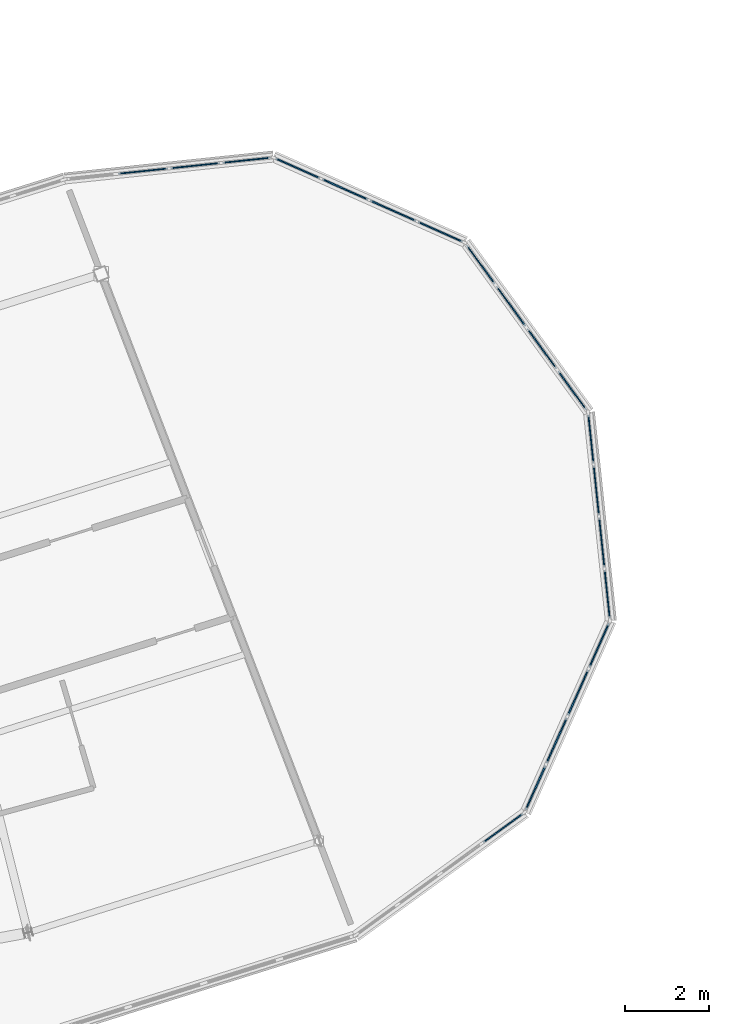
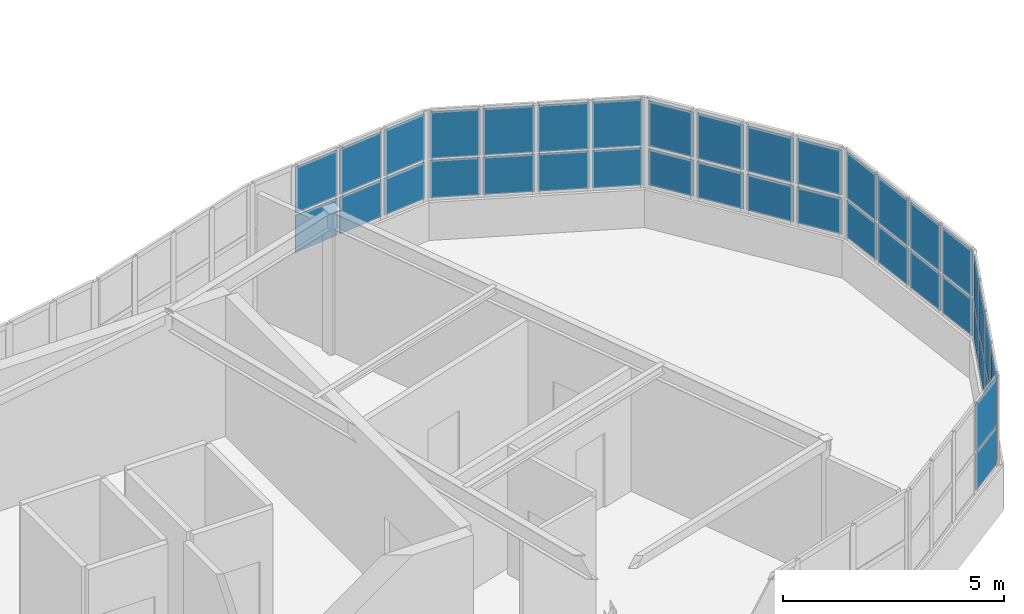
# One storey, part 40 of 60: 40 plates, 6 elements without a shape of their own.
"""IFC4 building model written with IfcOpenShell, lengths in metres."""

from ifc_helpers import new_model, si_unit, direction, frame, origin, origin_2d, place, context, subcontext, project, spatial, rectangle, extrude, material, layer, layer_set, type_object, element, aggregate, save


model = new_model("IFC4")

# Units and contexts
model_context = context("Model", 3, precision=1e-05, world=origin(), true_north=direction((0.0, 1.0)))
body_context = subcontext(model_context, "Body", "Model", "MODEL_VIEW")
ifc_project = project(units=[si_unit("LENGTHUNIT", "METRE"), si_unit("AREAUNIT", "SQUARE_METRE"), si_unit("VOLUMEUNIT", "CUBIC_METRE"), si_unit("PLANEANGLEUNIT", "RADIAN"), si_unit("MASSUNIT", "GRAM", prefix="KILO")], contexts=[model_context])

# Site, building, storey
site_placement = place(None, origin())
site = spatial("IfcSite", under=ifc_project, at=site_placement, CompositionType="ELEMENT")
building_placement = place(site_placement, origin())
building = spatial("IfcBuilding", under=site, at=building_placement, Name="Tarnwether General Hospital", CompositionType="ELEMENT")
storey_placement = place(building_placement, frame((0.0, 0.0, 26.10009765625)))
storey = spatial("IfcBuildingStorey", under=building, at=storey_placement, Name="L06", CompositionType="ELEMENT", Elevation=26.10009765625)

# Curtain wall, plates
ifc_material_1 = material(Name="Anodised aluminium", Category="aluminium")
ifc_layer_1 = layer(ifc_material_1, 0.159912109375)
ifc_layer_set_1 = layer_set([ifc_layer_1], Name="Anodised aluminium")
curtain_wall_type = type_object("IfcCurtainWallType", Name="CW-03", PredefinedType="NOTDEFINED", material=ifc_layer_set_1)
curtain_wall_1_placement = place(storey_placement, origin())
curtain_wall_1 = element("IfcCurtainWall", 1, at=curtain_wall_1_placement, inside=storey, type_object=curtain_wall_type, Name="Curtain Wall CWG-L06-1181_84-0253", PredefinedType="NOTDEFINED")
ifc_material_2 = material(Name="Double glazed low-E glass", Category="glass")
ifc_layer_2 = layer(ifc_material_2, 0.028076171875)
ifc_layer_set_2 = layer_set([ifc_layer_2], Name="Double glazed low-E glass")
plate_type_1 = type_object("IfcPlateType", Name="PT-CWP1", PredefinedType="CURTAIN_PANEL", material=ifc_layer_set_2)
plate_1_placement = place(storey_placement, frame((117.581298828125, 8.0380859375, 1.10986328125), z_axis=(0.0, 0.0, 1.0), x_axis=(-0.809057896173, -0.587728951677, 0.0)))
plate_1 = element("IfcPlate", 2, at=plate_1_placement, type_object=plate_type_1, Name="CW-03 panel 1.1", PredefinedType="CURTAIN_PANEL", context=body_context, shape_type="SweptSolid", body=[
    extrude(rectangle(XDim=1.152587890625, YDim=0.028076171875, at=origin_2d()), origin(), (0.0, 0.0, 1.0), 1.03271484375),
])
plate_2_placement = place(storey_placement, frame((117.581298828125, 8.0380859375, 2.20263671875), z_axis=(0.0, 0.0, 1.0), x_axis=(-0.809057896173, -0.587728951677, 0.0)))
plate_2 = element("IfcPlate", 3, at=plate_2_placement, type_object=plate_type_1, Name="CW-03 panel 1.2", PredefinedType="CURTAIN_PANEL", context=body_context, shape_type="SweptSolid", body=[
    extrude(rectangle(XDim=1.152587890625, YDim=0.028076171875, at=origin_2d()), origin(), (0.0, 0.0, 1.0), 1.2822265625),
])
aggregate(curtain_wall_1, [plate_1, plate_2])

curtain_wall_2_placement = place(storey_placement, origin())
curtain_wall_2 = element("IfcCurtainWall", 4, at=curtain_wall_2_placement, inside=storey, type_object=curtain_wall_type, Name="Curtain Wall CWG-L06-1196_179-0255", PredefinedType="NOTDEFINED")
plate_3_placement = place(storey_placement, frame((119.66455078125, 17.260009765625, 1.11474609375), z_axis=(0.0, 0.0, 1.0), x_axis=(0.10444384414, -0.994530785557, 0.0)))
plate_3 = element("IfcPlate", 5, at=plate_3_placement, type_object=plate_type_1, Name="CW-03 panel 1.1", PredefinedType="CURTAIN_PANEL", context=body_context, shape_type="SweptSolid", body=[
    extrude(rectangle(XDim=1.144775390625, YDim=0.028076171875, at=origin_2d()), origin(), (0.0, 0.0, 1.0), 1.025390625),
])
plate_4_placement = place(storey_placement, frame((119.66455078125, 17.260009765625, 2.205078125), z_axis=(0.0, 0.0, 1.0), x_axis=(0.10444384414, -0.994530785557, 0.0)))
plate_4 = element("IfcPlate", 6, at=plate_4_placement, type_object=plate_type_1, Name="CW-03 panel 1.2", PredefinedType="CURTAIN_PANEL", context=body_context, shape_type="SweptSolid", body=[
    extrude(rectangle(XDim=1.144775390625, YDim=0.028076171875, at=origin_2d()), origin(), (0.0, 0.0, 1.0), 1.274658203125),
])
plate_5_placement = place(storey_placement, frame((119.792724609375, 16.040771484375, 1.11474609375), z_axis=(0.0, 0.0, 1.0), x_axis=(0.10444384414, -0.994530785557, 0.0)))
plate_5 = element("IfcPlate", 7, at=plate_5_placement, type_object=plate_type_1, Name="CW-03 panel 2.1", PredefinedType="CURTAIN_PANEL", context=body_context, shape_type="SweptSolid", body=[
    extrude(rectangle(XDim=1.17724609375, YDim=0.028076171875, at=origin_2d()), origin(), (0.0, 0.0, 1.0), 1.025390625),
])
plate_6_placement = place(storey_placement, frame((119.792724609375, 16.040771484375, 2.205078125), z_axis=(0.0, 0.0, 1.0), x_axis=(0.10444384414, -0.994530785557, 0.0)))
plate_6 = element("IfcPlate", 8, at=plate_6_placement, type_object=plate_type_1, Name="CW-03 panel 2.2", PredefinedType="CURTAIN_PANEL", context=body_context, shape_type="SweptSolid", body=[
    extrude(rectangle(XDim=1.17724609375, YDim=0.028076171875, at=origin_2d()), origin(), (0.0, 0.0, 1.0), 1.274658203125),
])
plate_7_placement = place(storey_placement, frame((119.92236328125, 14.80517578125, 1.11474609375), z_axis=(0.0, 0.0, 1.0), x_axis=(0.10444384414, -0.994530785557, 0.0)))
plate_7 = element("IfcPlate", 9, at=plate_7_placement, type_object=plate_type_1, Name="CW-03 panel 3.1", PredefinedType="CURTAIN_PANEL", context=body_context, shape_type="SweptSolid", body=[
    extrude(rectangle(XDim=1.17724609375, YDim=0.028076171875, at=origin_2d()), origin(), (0.0, 0.0, 1.0), 1.025390625),
])
plate_8_placement = place(storey_placement, frame((119.92236328125, 14.80517578125, 2.205078125), z_axis=(0.0, 0.0, 1.0), x_axis=(0.10444384414, -0.994530785557, 0.0)))
plate_8 = element("IfcPlate", 10, at=plate_8_placement, type_object=plate_type_1, Name="CW-03 panel 3.2", PredefinedType="CURTAIN_PANEL", context=body_context, shape_type="SweptSolid", body=[
    extrude(rectangle(XDim=1.17724609375, YDim=0.028076171875, at=origin_2d()), origin(), (0.0, 0.0, 1.0), 1.274658203125),
])
plate_9_placement = place(storey_placement, frame((120.050537109375, 13.5859375, 1.11474609375), z_axis=(0.0, 0.0, 1.0), x_axis=(0.10444384414, -0.994530785557, 0.0)))
plate_9 = element("IfcPlate", 11, at=plate_9_placement, type_object=plate_type_1, Name="CW-03 panel 4.1", PredefinedType="CURTAIN_PANEL", context=body_context, shape_type="SweptSolid", body=[
    extrude(rectangle(XDim=1.144775390625, YDim=0.028076171875, at=origin_2d()), origin(), (0.0, 0.0, 1.0), 1.025390625),
])
plate_10_placement = place(storey_placement, frame((120.050537109375, 13.5859375, 2.205078125), z_axis=(0.0, 0.0, 1.0), x_axis=(0.10444384414, -0.994530785557, 0.0)))
plate_10 = element("IfcPlate", 12, at=plate_10_placement, type_object=plate_type_1, Name="CW-03 panel 4.2", PredefinedType="CURTAIN_PANEL", context=body_context, shape_type="SweptSolid", body=[
    extrude(rectangle(XDim=1.144775390625, YDim=0.028076171875, at=origin_2d()), origin(), (0.0, 0.0, 1.0), 1.274658203125),
])
aggregate(curtain_wall_2, [plate_3, plate_4, plate_5, plate_6, plate_7, plate_8, plate_9, plate_10])

curtain_wall_3_placement = place(storey_placement, origin())
curtain_wall_3 = element("IfcCurtainWall", 13, at=curtain_wall_3_placement, inside=storey, type_object=curtain_wall_type, Name="Curtain Wall CWG-L06-1167_219-0256", PredefinedType="NOTDEFINED")
plate_11_placement = place(storey_placement, frame((117.053955078125, 21.395263671875, 1.1298828125), z_axis=(0.0, 0.0, 1.0), x_axis=(0.587824638969, -0.808988376814, 0.0)))
plate_11 = element("IfcPlate", 14, at=plate_11_placement, type_object=plate_type_1, Name="CW-03 panel 1.1", PredefinedType="CURTAIN_PANEL", context=body_context, shape_type="SweptSolid", body=[
    extrude(rectangle(XDim=1.122314453125, YDim=0.028076171875, at=origin_2d()), origin(), (0.0, 0.0, 1.0), 1.002685546875),
])
plate_12_placement = place(storey_placement, frame((117.053955078125, 21.395263671875, 2.212890625), z_axis=(0.0, 0.0, 1.0), x_axis=(0.587824638969, -0.808988376814, 0.0)))
plate_12 = element("IfcPlate", 15, at=plate_12_placement, type_object=plate_type_1, Name="CW-03 panel 1.2", PredefinedType="CURTAIN_PANEL", context=body_context, shape_type="SweptSolid", body=[
    extrude(rectangle(XDim=1.122314453125, YDim=0.028076171875, at=origin_2d()), origin(), (0.0, 0.0, 1.0), 1.252197265625),
])
plate_13_placement = place(storey_placement, frame((117.7724609375, 20.406494140625, 1.1298828125), z_axis=(0.0, 0.0, 1.0), x_axis=(0.587824638969, -0.808988376814, 0.0)))
plate_13 = element("IfcPlate", 16, at=plate_13_placement, type_object=plate_type_1, Name="CW-03 panel 2.1", PredefinedType="CURTAIN_PANEL", context=body_context, shape_type="SweptSolid", body=[
    extrude(rectangle(XDim=1.162353515625, YDim=0.028076171875, at=origin_2d()), origin(), (0.0, 0.0, 1.0), 1.002685546875),
])
plate_14_placement = place(storey_placement, frame((117.7724609375, 20.406494140625, 2.212890625), z_axis=(0.0, 0.0, 1.0), x_axis=(0.587824638969, -0.808988376814, 0.0)))
plate_14 = element("IfcPlate", 17, at=plate_14_placement, type_object=plate_type_1, Name="CW-03 panel 2.2", PredefinedType="CURTAIN_PANEL", context=body_context, shape_type="SweptSolid", body=[
    extrude(rectangle(XDim=1.162353515625, YDim=0.028076171875, at=origin_2d()), origin(), (0.0, 0.0, 1.0), 1.252197265625),
])
plate_15_placement = place(storey_placement, frame((118.502685546875, 19.401611328125, 1.1298828125), z_axis=(0.0, 0.0, 1.0), x_axis=(0.587824638969, -0.808988376814, 0.0)))
plate_15 = element("IfcPlate", 18, at=plate_15_placement, type_object=plate_type_1, Name="CW-03 panel 3.1", PredefinedType="CURTAIN_PANEL", context=body_context, shape_type="SweptSolid", body=[
    extrude(rectangle(XDim=1.162353515625, YDim=0.028076171875, at=origin_2d()), origin(), (0.0, 0.0, 1.0), 1.002685546875),
])
plate_16_placement = place(storey_placement, frame((118.502685546875, 19.401611328125, 2.212890625), z_axis=(0.0, 0.0, 1.0), x_axis=(0.587824638969, -0.808988376814, 0.0)))
plate_16 = element("IfcPlate", 19, at=plate_16_placement, type_object=plate_type_1, Name="CW-03 panel 3.2", PredefinedType="CURTAIN_PANEL", context=body_context, shape_type="SweptSolid", body=[
    extrude(rectangle(XDim=1.162353515625, YDim=0.028076171875, at=origin_2d()), origin(), (0.0, 0.0, 1.0), 1.252197265625),
])
plate_17_placement = place(storey_placement, frame((119.22119140625, 18.41259765625, 1.1298828125), z_axis=(0.0, 0.0, 1.0), x_axis=(0.587824638969, -0.808988376814, 0.0)))
plate_17 = element("IfcPlate", 20, at=plate_17_placement, type_object=plate_type_1, Name="CW-03 panel 4.1", PredefinedType="CURTAIN_PANEL", context=body_context, shape_type="SweptSolid", body=[
    extrude(rectangle(XDim=1.122314453125, YDim=0.028076171875, at=origin_2d()), origin(), (0.0, 0.0, 1.0), 1.002685546875),
])
plate_18_placement = place(storey_placement, frame((119.22119140625, 18.41259765625, 2.212890625), z_axis=(0.0, 0.0, 1.0), x_axis=(0.587824638969, -0.808988376814, 0.0)))
plate_18 = element("IfcPlate", 21, at=plate_18_placement, type_object=plate_type_1, Name="CW-03 panel 4.2", PredefinedType="CURTAIN_PANEL", context=body_context, shape_type="SweptSolid", body=[
    extrude(rectangle(XDim=1.122314453125, YDim=0.028076171875, at=origin_2d()), origin(), (0.0, 0.0, 1.0), 1.252197265625),
])
aggregate(curtain_wall_3, [plate_11, plate_12, plate_13, plate_14, plate_15, plate_16, plate_17, plate_18])

curtain_wall_4_placement = place(storey_placement, origin())
curtain_wall_4 = element("IfcCurtainWall", 22, at=curtain_wall_4_placement, inside=storey, type_object=curtain_wall_type, Name="Curtain Wall CWG-L06-1072_234-0258", PredefinedType="NOTDEFINED")
plate_19_placement = place(storey_placement, frame((109.04833984375, 23.611083984375, 1.1201171875), z_axis=(0.0, 0.0, 1.0), x_axis=(0.994509862698, 0.104642883163, 0.0)))
plate_19 = element("IfcPlate", 23, at=plate_19_placement, type_object=plate_type_1, Name="CW-03 panel 2.1", PredefinedType="CURTAIN_PANEL", context=body_context, shape_type="SweptSolid", body=[
    extrude(rectangle(XDim=1.17236328125, YDim=0.028076171875, at=origin_2d()), origin(), (0.0, 0.0, 1.0), 1.017822265625),
])
plate_20_placement = place(storey_placement, frame((109.04833984375, 23.611083984375, 2.207763671875), z_axis=(0.0, 0.0, 1.0), x_axis=(0.994509862698, 0.104642883163, 0.0)))
plate_20 = element("IfcPlate", 24, at=plate_20_placement, type_object=plate_type_1, Name="CW-03 panel 2.2", PredefinedType="CURTAIN_PANEL", context=body_context, shape_type="SweptSolid", body=[
    extrude(rectangle(XDim=1.17236328125, YDim=0.028076171875, at=origin_2d()), origin(), (0.0, 0.0, 1.0), 1.26708984375),
])
plate_21_placement = place(storey_placement, frame((110.28369140625, 23.740966796875, 1.1201171875), z_axis=(0.0, 0.0, 1.0), x_axis=(0.994509862698, 0.104642883163, 0.0)))
plate_21 = element("IfcPlate", 25, at=plate_21_placement, type_object=plate_type_1, Name="CW-03 panel 3.1", PredefinedType="CURTAIN_PANEL", context=body_context, shape_type="SweptSolid", body=[
    extrude(rectangle(XDim=1.17236328125, YDim=0.028076171875, at=origin_2d()), origin(), (0.0, 0.0, 1.0), 1.017822265625),
])
plate_22_placement = place(storey_placement, frame((110.28369140625, 23.740966796875, 2.207763671875), z_axis=(0.0, 0.0, 1.0), x_axis=(0.994509862698, 0.104642883163, 0.0)))
plate_22 = element("IfcPlate", 26, at=plate_22_placement, type_object=plate_type_1, Name="CW-03 panel 3.2", PredefinedType="CURTAIN_PANEL", context=body_context, shape_type="SweptSolid", body=[
    extrude(rectangle(XDim=1.17236328125, YDim=0.028076171875, at=origin_2d()), origin(), (0.0, 0.0, 1.0), 1.26708984375),
])
plate_23_placement = place(storey_placement, frame((111.501953125, 23.869140625, 1.1201171875), z_axis=(0.0, 0.0, 1.0), x_axis=(0.994509862698, 0.104642883163, 0.0)))
plate_23 = element("IfcPlate", 27, at=plate_23_placement, type_object=plate_type_1, Name="CW-03 panel 4.1", PredefinedType="CURTAIN_PANEL", context=body_context, shape_type="SweptSolid", body=[
    extrude(rectangle(XDim=1.13720703125, YDim=0.028076171875, at=origin_2d()), origin(), (0.0, 0.0, 1.0), 1.017822265625),
])
plate_24_placement = place(storey_placement, frame((111.501953125, 23.869140625, 2.207763671875), z_axis=(0.0, 0.0, 1.0), x_axis=(0.994509862698, 0.104642883163, 0.0)))
plate_24 = element("IfcPlate", 28, at=plate_24_placement, type_object=plate_type_1, Name="CW-03 panel 4.2", PredefinedType="CURTAIN_PANEL", context=body_context, shape_type="SweptSolid", body=[
    extrude(rectangle(XDim=1.13720703125, YDim=0.028076171875, at=origin_2d()), origin(), (0.0, 0.0, 1.0), 1.26708984375),
])
aggregate(curtain_wall_4, [plate_19, plate_20, plate_21, plate_22, plate_23, plate_24])

curtain_wall_5_placement = place(storey_placement, origin())
curtain_wall_5 = element("IfcCurtainWall", 29, at=curtain_wall_5_placement, inside=storey, type_object=curtain_wall_type, Name="Curtain Wall CWG-L06-1201_130-0254", PredefinedType="NOTDEFINED")
ifc_material_3 = material(Name="Double glazed low-E glass", Category="glass")
ifc_layer_3 = layer(ifc_material_3, 0.035888671875)
ifc_layer_set_3 = layer_set([ifc_layer_3], Name="Double glazed low-E glass")
plate_type_2 = type_object("IfcPlateType", Name="PT-CWP2", PredefinedType="CURTAIN_PANEL", material=ifc_layer_set_3)
plate_25_placement = place(storey_placement, frame((119.857177734375, 12.368408203125, 1.1201171875), z_axis=(0.0, 0.0, 1.0), x_axis=(-0.406679840705, -0.913570745572, 0.0)))
plate_25 = element("IfcPlate", 30, at=plate_25_placement, type_object=plate_type_2, Name="CW-03 panel 1.1", PredefinedType="CURTAIN_PANEL", context=body_context, shape_type="SweptSolid", body=[
    extrude(rectangle(XDim=1.137451171875, YDim=0.035888671875, at=origin_2d()), origin(), (0.0, 0.0, 1.0), 1.017822265625),
])
plate_26_placement = place(storey_placement, frame((119.857177734375, 12.368408203125, 2.207763671875), z_axis=(0.0, 0.0, 1.0), x_axis=(-0.406679840705, -0.913570745572, 0.0)))
plate_26 = element("IfcPlate", 31, at=plate_26_placement, type_object=plate_type_2, Name="CW-03 panel 1.2", PredefinedType="CURTAIN_PANEL", context=body_context, shape_type="SweptSolid", body=[
    extrude(rectangle(XDim=1.137451171875, YDim=0.035888671875, at=origin_2d()), origin(), (0.0, 0.0, 1.0), 1.26708984375),
])
plate_27_placement = place(storey_placement, frame((119.359130859375, 11.24951171875, 1.1201171875), z_axis=(0.0, 0.0, 1.0), x_axis=(-0.406679840705, -0.913570745572, 0.0)))
plate_27 = element("IfcPlate", 32, at=plate_27_placement, type_object=plate_type_2, Name="CW-03 panel 2.1", PredefinedType="CURTAIN_PANEL", context=body_context, shape_type="SweptSolid", body=[
    extrude(rectangle(XDim=1.17236328125, YDim=0.035888671875, at=origin_2d()), origin(), (0.0, 0.0, 1.0), 1.017822265625),
])
plate_28_placement = place(storey_placement, frame((119.359130859375, 11.24951171875, 2.207763671875), z_axis=(0.0, 0.0, 1.0), x_axis=(-0.406679840705, -0.913570745572, 0.0)))
plate_28 = element("IfcPlate", 33, at=plate_28_placement, type_object=plate_type_2, Name="CW-03 panel 2.2", PredefinedType="CURTAIN_PANEL", context=body_context, shape_type="SweptSolid", body=[
    extrude(rectangle(XDim=1.17236328125, YDim=0.035888671875, at=origin_2d()), origin(), (0.0, 0.0, 1.0), 1.26708984375),
])
plate_29_placement = place(storey_placement, frame((118.853759765625, 10.114501953125, 1.1201171875), z_axis=(0.0, 0.0, 1.0), x_axis=(-0.406679840705, -0.913570745572, 0.0)))
plate_29 = element("IfcPlate", 34, at=plate_29_placement, type_object=plate_type_2, Name="CW-03 panel 3.1", PredefinedType="CURTAIN_PANEL", context=body_context, shape_type="SweptSolid", body=[
    extrude(rectangle(XDim=1.17236328125, YDim=0.035888671875, at=origin_2d()), origin(), (0.0, 0.0, 1.0), 1.017822265625),
])
plate_30_placement = place(storey_placement, frame((118.853759765625, 10.114501953125, 2.207763671875), z_axis=(0.0, 0.0, 1.0), x_axis=(-0.406679840705, -0.913570745572, 0.0)))
plate_30 = element("IfcPlate", 35, at=plate_30_placement, type_object=plate_type_2, Name="CW-03 panel 3.2", PredefinedType="CURTAIN_PANEL", context=body_context, shape_type="SweptSolid", body=[
    extrude(rectangle(XDim=1.17236328125, YDim=0.035888671875, at=origin_2d()), origin(), (0.0, 0.0, 1.0), 1.26708984375),
])
plate_31_placement = place(storey_placement, frame((118.355712890625, 8.99560546875, 1.1201171875), z_axis=(0.0, 0.0, 1.0), x_axis=(-0.406679840705, -0.913570745572, 0.0)))
plate_31 = element("IfcPlate", 36, at=plate_31_placement, type_object=plate_type_2, Name="CW-03 panel 4.1", PredefinedType="CURTAIN_PANEL", context=body_context, shape_type="SweptSolid", body=[
    extrude(rectangle(XDim=1.137451171875, YDim=0.035888671875, at=origin_2d()), origin(), (0.0, 0.0, 1.0), 1.017822265625),
])
plate_32_placement = place(storey_placement, frame((118.355712890625, 8.99560546875, 2.207763671875), z_axis=(0.0, 0.0, 1.0), x_axis=(-0.406679840705, -0.913570745572, 0.0)))
plate_32 = element("IfcPlate", 37, at=plate_32_placement, type_object=plate_type_2, Name="CW-03 panel 4.2", PredefinedType="CURTAIN_PANEL", context=body_context, shape_type="SweptSolid", body=[
    extrude(rectangle(XDim=1.137451171875, YDim=0.035888671875, at=origin_2d()), origin(), (0.0, 0.0, 1.0), 1.26708984375),
])
aggregate(curtain_wall_5, [plate_25, plate_26, plate_27, plate_28, plate_29, plate_30, plate_31, plate_32])

curtain_wall_6_placement = place(storey_placement, origin())
curtain_wall_6 = element("IfcCurtainWall", 38, at=curtain_wall_6_placement, inside=storey, type_object=curtain_wall_type, Name="Curtain Wall CWG-L06-1121_239-0257", PredefinedType="NOTDEFINED")
plate_33_placement = place(storey_placement, frame((112.71826171875, 23.67724609375, 1.10986328125), z_axis=(0.0, 0.0, 1.0), x_axis=(0.913495974215, -0.406847766484, 0.0)))
plate_33 = element("IfcPlate", 39, at=plate_33_placement, type_object=plate_type_2, Name="CW-03 panel 1.1", PredefinedType="CURTAIN_PANEL", context=body_context, shape_type="SweptSolid", body=[
    extrude(rectangle(XDim=1.152587890625, YDim=0.035888671875, at=origin_2d()), origin(), (0.0, 0.0, 1.0), 1.03271484375),
])
plate_34_placement = place(storey_placement, frame((112.71826171875, 23.67724609375, 2.20263671875), z_axis=(0.0, 0.0, 1.0), x_axis=(0.913495974215, -0.406847766484, 0.0)))
plate_34 = element("IfcPlate", 40, at=plate_34_placement, type_object=plate_type_2, Name="CW-03 panel 1.2", PredefinedType="CURTAIN_PANEL", context=body_context, shape_type="SweptSolid", body=[
    extrude(rectangle(XDim=1.152587890625, YDim=0.035888671875, at=origin_2d()), origin(), (0.0, 0.0, 1.0), 1.2822265625),
])
plate_35_placement = place(storey_placement, frame((113.839599609375, 23.177734375, 1.10986328125), z_axis=(0.0, 0.0, 1.0), x_axis=(0.913495974215, -0.406847766484, 0.0)))
plate_35 = element("IfcPlate", 41, at=plate_35_placement, type_object=plate_type_2, Name="CW-03 panel 2.1", PredefinedType="CURTAIN_PANEL", context=body_context, shape_type="SweptSolid", body=[
    extrude(rectangle(XDim=1.182373046875, YDim=0.035888671875, at=origin_2d()), origin(), (0.0, 0.0, 1.0), 1.03271484375),
])
plate_36_placement = place(storey_placement, frame((113.839599609375, 23.177734375, 2.20263671875), z_axis=(0.0, 0.0, 1.0), x_axis=(0.913495974215, -0.406847766484, 0.0)))
plate_36 = element("IfcPlate", 42, at=plate_36_placement, type_object=plate_type_2, Name="CW-03 panel 2.2", PredefinedType="CURTAIN_PANEL", context=body_context, shape_type="SweptSolid", body=[
    extrude(rectangle(XDim=1.182373046875, YDim=0.035888671875, at=origin_2d()), origin(), (0.0, 0.0, 1.0), 1.2822265625),
])
plate_37_placement = place(storey_placement, frame((114.974609375, 22.67236328125, 1.10986328125), z_axis=(0.0, 0.0, 1.0), x_axis=(0.913495974215, -0.406847766484, 0.0)))
plate_37 = element("IfcPlate", 43, at=plate_37_placement, type_object=plate_type_2, Name="CW-03 panel 3.1", PredefinedType="CURTAIN_PANEL", context=body_context, shape_type="SweptSolid", body=[
    extrude(rectangle(XDim=1.182373046875, YDim=0.035888671875, at=origin_2d()), origin(), (0.0, 0.0, 1.0), 1.03271484375),
])
plate_38_placement = place(storey_placement, frame((114.974609375, 22.67236328125, 2.20263671875), z_axis=(0.0, 0.0, 1.0), x_axis=(0.913495974215, -0.406847766484, 0.0)))
plate_38 = element("IfcPlate", 44, at=plate_38_placement, type_object=plate_type_2, Name="CW-03 panel 3.2", PredefinedType="CURTAIN_PANEL", context=body_context, shape_type="SweptSolid", body=[
    extrude(rectangle(XDim=1.182373046875, YDim=0.035888671875, at=origin_2d()), origin(), (0.0, 0.0, 1.0), 1.2822265625),
])
plate_39_placement = place(storey_placement, frame((116.095703125, 22.1728515625, 1.10986328125), z_axis=(0.0, 0.0, 1.0), x_axis=(0.913495974215, -0.406847766484, 0.0)))
plate_39 = element("IfcPlate", 45, at=plate_39_placement, type_object=plate_type_2, Name="CW-03 panel 4.1", PredefinedType="CURTAIN_PANEL", context=body_context, shape_type="SweptSolid", body=[
    extrude(rectangle(XDim=1.152587890625, YDim=0.035888671875, at=origin_2d()), origin(), (0.0, 0.0, 1.0), 1.03271484375),
])
plate_40_placement = place(storey_placement, frame((116.095703125, 22.1728515625, 2.20263671875), z_axis=(0.0, 0.0, 1.0), x_axis=(0.913495974215, -0.406847766484, 0.0)))
plate_40 = element("IfcPlate", 46, at=plate_40_placement, type_object=plate_type_2, Name="CW-03 panel 4.2", PredefinedType="CURTAIN_PANEL", context=body_context, shape_type="SweptSolid", body=[
    extrude(rectangle(XDim=1.152587890625, YDim=0.035888671875, at=origin_2d()), origin(), (0.0, 0.0, 1.0), 1.2822265625),
])
aggregate(curtain_wall_6, [plate_33, plate_34, plate_35, plate_36, plate_37, plate_38, plate_39, plate_40])

save(model, "model.ifc")
